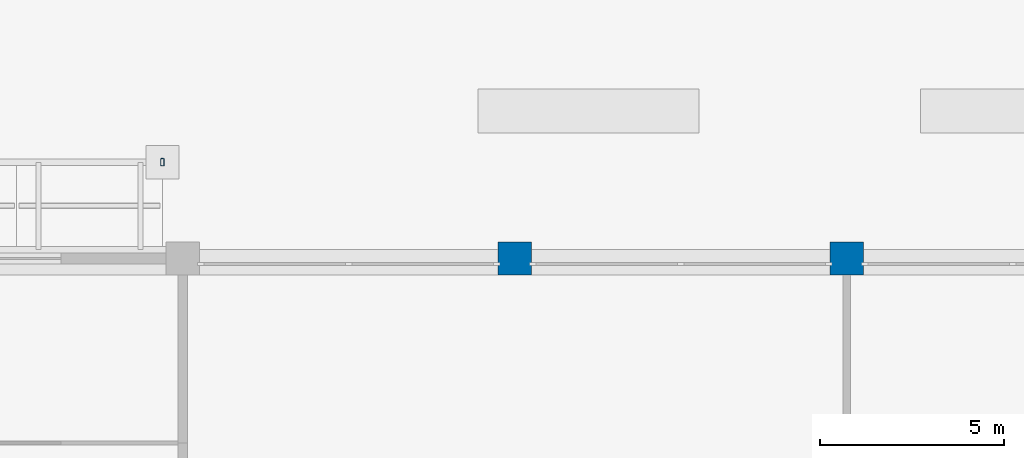
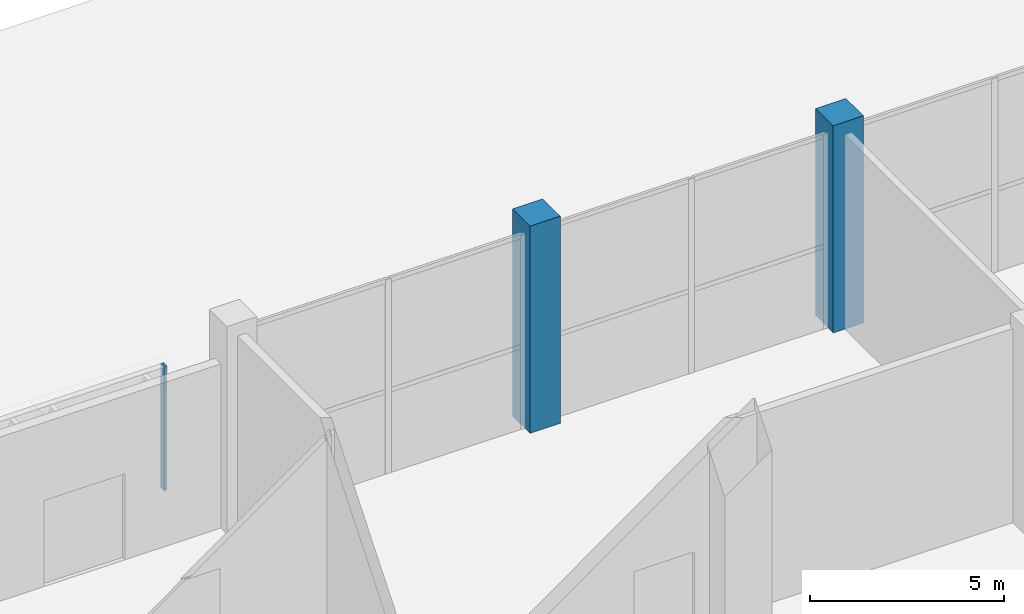
# One storey, part 18 of 39: 3 columns.
"""IFC4 building model written with IfcOpenShell, lengths in metres."""

from ifc_helpers import new_model, si_unit, direction, frame, origin, origin_2d, place, context, subcontext, project, spatial, rectangle, hollow_rectangle, extrude, material, material_profile, profile_set, type_object, element, save


model = new_model("IFC4")

# Units and contexts
model_context = context("Model", 3, precision=1e-05, world=origin(), true_north=direction((0.0, 1.0)))
body_context = subcontext(model_context, "Body", "Model", "MODEL_VIEW")
ifc_project = project(units=[si_unit("LENGTHUNIT", "METRE"), si_unit("AREAUNIT", "SQUARE_METRE"), si_unit("VOLUMEUNIT", "CUBIC_METRE"), si_unit("PLANEANGLEUNIT", "RADIAN"), si_unit("MASSUNIT", "GRAM", prefix="KILO")], contexts=[model_context])

# Site, building, storey
site_placement = place(None, origin())
site = spatial("IfcSite", under=ifc_project, at=site_placement, CompositionType="ELEMENT")
building_placement = place(site_placement, origin())
building = spatial("IfcBuilding", under=site, at=building_placement, Name="Brigalow Station Residences", CompositionType="ELEMENT")
storey_placement = place(building_placement, origin())
storey = spatial("IfcBuildingStorey", under=building, at=storey_placement, Name="L00", CompositionType="ELEMENT", Elevation=0.0)

# Columns
ifc_material_1 = material(Name="Steel Grade C450L0 to AS/NZS 1163", Category="steel")
ifc_material_profile_1 = material_profile(ifc_material_1, hollow_rectangle(XDim=0.10009765625, YDim=0.199951171875, WallThickness=0.009033203125, InnerFilletRadius=0.013427734375, OuterFilletRadius=0.0224609375, at=origin_2d()), Name="200x100x9.0RHS")
ifc_profile_set_1 = profile_set([ifc_material_profile_1], Name="Steel Grade C450L0 to AS/NZS 1163")
column_type_1 = type_object("IfcColumnType", Name="CANOPY POST 200x100x9.0RHS", PredefinedType="COLUMN", material=ifc_profile_set_1)
column_placement = place(storey_placement, frame((44.449951171875, 61.111083984375, -0.39990234375), z_axis=(0.0, 0.0, 1.0), x_axis=(1.0, 0.0, 0.0)))
element("IfcColumn", 1, at=column_placement, inside=storey, type_object=column_type_1, Name="L00/canopy-post/N-entry-e-2", PredefinedType="COLUMN", context=body_context, shape_type="SweptSolid", body=[
    extrude(hollow_rectangle(XDim=0.10009765625, YDim=0.199951171875, WallThickness=0.009033203125, InnerFilletRadius=0.013427734375, OuterFilletRadius=0.0224609375, at=origin_2d()), origin(), (0.0, 0.0, 1.0), 3.8779296875),
])
ifc_material_2 = material(Name="Concrete C50", Category="concrete")
ifc_material_profile_2 = material_profile(ifc_material_2, rectangle(XDim=0.89990234375, YDim=0.89990234375, at=origin_2d()), Name="RC900x900")
ifc_profile_set_2 = profile_set([ifc_material_profile_2], Name="Concrete C50")
column_type_2 = type_object("IfcColumnType", Name="COLUMN 900x900 C50", PredefinedType="COLUMN", material=ifc_profile_set_2)
for number, where, z_axis, x_axis, name in (
    (2, (54.0, 58.5, 0.0), (0.0, 0.0, 1.0), (1.0, 0.0, 0.0), "COLUMN F6 L00"),
    (3, (63.0, 58.5, 0.0), (0.0, 0.0, 1.0), (1.0, 0.0, 0.0), "COLUMN F7 L00"),
):
    element("IfcColumn", number, at=place(storey_placement, frame(where, z_axis=z_axis, x_axis=x_axis)), inside=storey, type_object=column_type_2, Name=name, PredefinedType="COLUMN", context=body_context, shape_type="SweptSolid", body=[
        extrude(rectangle(XDim=0.89990234375, YDim=0.89990234375, at=origin_2d()), origin(), (0.0, 0.0, 1.0), 6.5),
    ])

save(model, "model.ifc")
